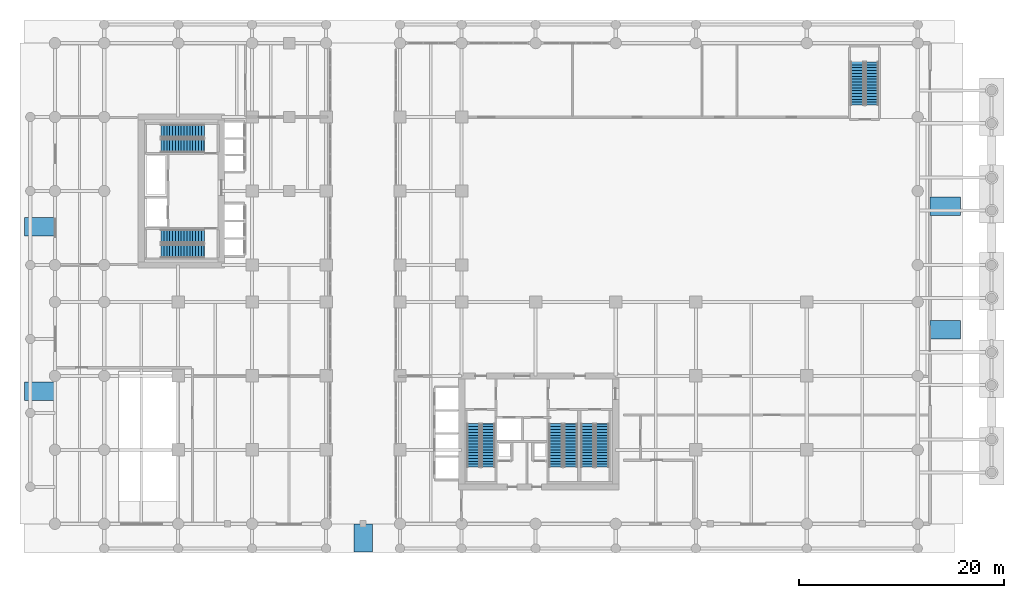
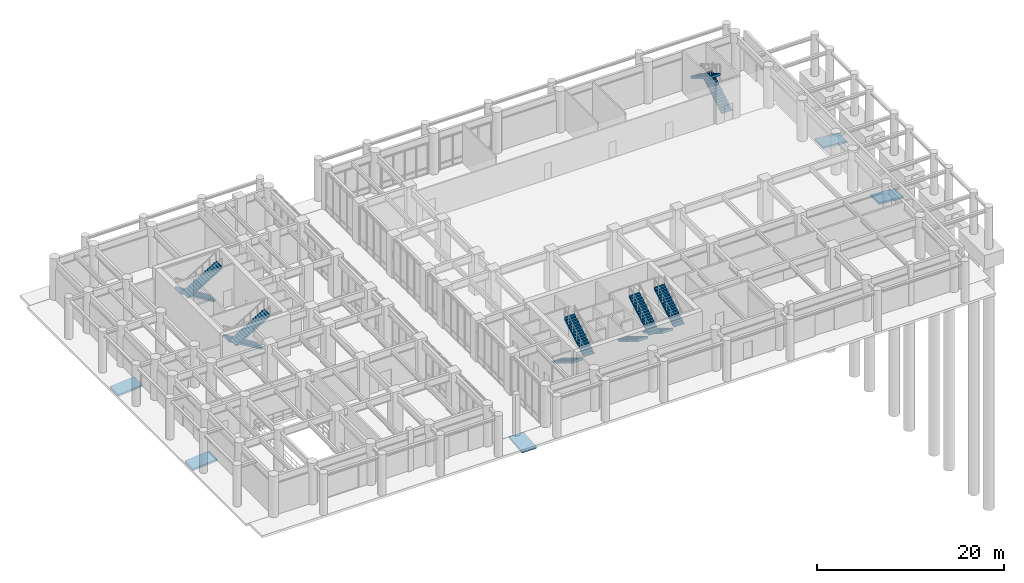
# One storey, part 18 of 23: 12 stair flights, 5 ramp flights, 11 elements without a shape of their own.
"""IFC4 building model written with IfcOpenShell, lengths in metres."""

from ifc_helpers import new_model, si_unit, derived_unit, direction, frame, origin, place, context, subcontext, project, spatial, polyline, outline, extrude, source, transform, mapped, material, layer, layer_set, type_object, element, aggregate, save


model = new_model("IFC4")

# Units and contexts
model_context = context("Model", 3, precision=1e-05, world=origin(), true_north=direction((0.0, 1.0)))
body_context = subcontext(model_context, "Body", "Model", "MODEL_VIEW")
ifc_project = project(units=[si_unit("LENGTHUNIT", "METRE"), si_unit("AREAUNIT", "SQUARE_METRE"), si_unit("VOLUMEUNIT", "CUBIC_METRE"), si_unit("PLANEANGLEUNIT", "RADIAN"), si_unit("MASSUNIT", "GRAM", prefix="KILO"), si_unit("THERMODYNAMICTEMPERATUREUNIT", "KELVIN"), si_unit("POWERUNIT", "WATT"), derived_unit("THERMALTRANSMITTANCEUNIT", [(si_unit("POWERUNIT", "WATT"), 1), (si_unit("AREAUNIT", "SQUARE_METRE"), -1), (si_unit("THERMODYNAMICTEMPERATUREUNIT", "KELVIN"), -1)])], contexts=[model_context])

# Site, building, storey
site_placement = place(None, origin())
site = spatial("IfcSite", under=ifc_project, at=site_placement, CompositionType="ELEMENT")
building_placement = place(site_placement, origin())
building = spatial("IfcBuilding", under=site, at=building_placement, Name="Zahravan Archway Hotel and Residences", CompositionType="ELEMENT")
storey_placement = place(building_placement, origin())
storey = spatial("IfcBuildingStorey", under=building, at=storey_placement, Name="L00", CompositionType="ELEMENT", Elevation=0.0)

# Stair, stair flights
ifc_material_1 = material(Name="Concrete C50/60", Category="concrete")
stair_type = type_object("IfcStairType", Name="STR-CORE-1300", PredefinedType="HALF_TURN_STAIR", material=ifc_material_1)
stair_1_placement = place(storey_placement, origin())
stair_1 = element("IfcStair", 1, at=stair_1_placement, inside=storey, type_object=stair_type, Name="L00 Core A Exit Stair 1", PredefinedType="HALF_TURN_STAIR")
ifc_layer_1 = layer(ifc_material_1, 0.199951171875, Name="Concrete C50/60", Category="concrete")
ifc_layer_set_1 = layer_set([ifc_layer_1], Name="Concrete C50/60")
stair_flight_type = type_object("IfcStairFlightType", Name="SFL-CORE-1300", PredefinedType="STRAIGHT", material=ifc_layer_set_1)
shared_shape = source(origin(), body_context, "Body", "SweptSolid", [
    extrude(outline(polyline([(-0.01611328125, 0.0), (-0.01611328125, 0.168701171875), (0.280029296875, 0.168701171875), (0.280029296875, 0.33740234375), (0.56005859375, 0.33740234375), (0.56005859375, 0.50634765625), (0.840087890625, 0.50634765625), (0.840087890625, 0.675048828125), (1.1201171875, 0.675048828125), (1.1201171875, 0.84375), (1.39990234375, 0.84375), (1.39990234375, 1.012451171875), (1.679931640625, 1.012451171875), (1.679931640625, 1.18115234375), (1.9599609375, 1.18115234375), (1.9599609375, 1.35009765625), (2.239990234375, 1.35009765625), (2.239990234375, 1.518798828125), (2.52001953125, 1.518798828125), (2.52001953125, 1.6875), (2.800048828125, 1.6875), (2.800048828125, 1.856201171875), (3.080078125, 1.856201171875), (3.080078125, 2.02490234375), (3.360107421875, 2.02490234375), (3.360107421875, 2.19384765625), (3.639892578125, 2.19384765625), (3.639892578125, 2.362548828125), (3.919921875, 2.362548828125), (3.919921875, 2.53125), (4.199951171875, 2.53125), (4.199951171875, 2.699951171875), (4.216064453125, 2.699951171875), (4.216064453125, 2.356201171875), (0.29052734375, 0.0), (-0.01611328125, 0.0)])), frame((0.0, 0.64990234375, 0.0), z_axis=(0.0, -1.0, 0.0), x_axis=(1.0, 0.0, 0.0)), (0.0, 0.0, 1.0), 1.300048828125),
])
stair_flight_1_placement = place(storey_placement, frame((35.949951171875, 9.72998046875, 0.0), z_axis=(0.0, 0.0, 1.0), x_axis=(0.0, -1.0, 0.0)))
stair_flight_1 = element("IfcStairFlight", 2, at=stair_flight_1_placement, type_object=stair_flight_type, Name="ST-A1 flight 1", NumberOfRisers=16, NumberOfTreads=15, PredefinedType="STRAIGHT", RiserHeight=0.16875, TreadLength=0.28, context=body_context, shape_type="MappedRepresentation", body=[
    mapped(shared_shape, transform((0.0, 0.0, 0.0), scale=1.0)),
])
stair_flight_2_placement = place(storey_placement, frame((37.389892578125, 5.530029296875, 2.699951171875), z_axis=(0.0, 0.0, 1.0), x_axis=(0.0, 1.0, 0.0)))
stair_flight_2 = element("IfcStairFlight", 3, at=stair_flight_2_placement, type_object=stair_flight_type, Name="ST-A1 flight 2", NumberOfRisers=16, NumberOfTreads=15, PredefinedType="STRAIGHT", RiserHeight=0.16875, TreadLength=0.28, context=body_context, shape_type="MappedRepresentation", body=[
    mapped(shared_shape, transform((0.0, 0.0, 0.0), scale=1.0)),
])
aggregate(stair_1, [stair_flight_1, stair_flight_2])

stair_2_placement = place(storey_placement, origin())
stair_2 = element("IfcStair", 4, at=stair_2_placement, inside=storey, type_object=stair_type, Name="L00 Core A Exit Stair 2", PredefinedType="HALF_TURN_STAIR")
stair_flight_3_placement = place(storey_placement, frame((43.969970703125, 9.72998046875, 0.0), z_axis=(0.0, 0.0, 1.0), x_axis=(0.0, -1.0, 0.0)))
stair_flight_3 = element("IfcStairFlight", 5, at=stair_flight_3_placement, type_object=stair_flight_type, Name="ST-A2 flight 1", NumberOfRisers=16, NumberOfTreads=15, PredefinedType="STRAIGHT", RiserHeight=0.16875, TreadLength=0.28, context=body_context, shape_type="MappedRepresentation", body=[
    mapped(shared_shape, transform((0.0, 0.0, 0.0), scale=1.0)),
])
stair_flight_4_placement = place(storey_placement, frame((45.409912109375, 5.530029296875, 2.699951171875), z_axis=(0.0, 0.0, 1.0), x_axis=(0.0, 1.0, 0.0)))
stair_flight_4 = element("IfcStairFlight", 6, at=stair_flight_4_placement, type_object=stair_flight_type, Name="ST-A2 flight 2", NumberOfRisers=16, NumberOfTreads=15, PredefinedType="STRAIGHT", RiserHeight=0.16875, TreadLength=0.28, context=body_context, shape_type="MappedRepresentation", body=[
    mapped(shared_shape, transform((0.0, 0.0, 0.0), scale=1.0)),
])
aggregate(stair_2, [stair_flight_3, stair_flight_4])

stair_3_placement = place(storey_placement, origin())
stair_3 = element("IfcStair", 7, at=stair_3_placement, inside=storey, type_object=stair_type, Name="L00 Core A Exit Stair 3", PredefinedType="HALF_TURN_STAIR")
stair_flight_5_placement = place(storey_placement, frame((47.050048828125, 9.72998046875, 0.0), z_axis=(0.0, 0.0, 1.0), x_axis=(0.0, -1.0, 0.0)))
stair_flight_5 = element("IfcStairFlight", 8, at=stair_flight_5_placement, type_object=stair_flight_type, Name="ST-A3 flight 1", NumberOfRisers=16, NumberOfTreads=15, PredefinedType="STRAIGHT", RiserHeight=0.16875, TreadLength=0.28, context=body_context, shape_type="MappedRepresentation", body=[
    mapped(shared_shape, transform((0.0, 0.0, 0.0), scale=1.0)),
])
stair_flight_6_placement = place(storey_placement, frame((48.489990234375, 5.530029296875, 2.699951171875), z_axis=(0.0, 0.0, 1.0), x_axis=(0.0, 1.0, 0.0)))
stair_flight_6 = element("IfcStairFlight", 9, at=stair_flight_6_placement, type_object=stair_flight_type, Name="ST-A3 flight 2", NumberOfRisers=16, NumberOfTreads=15, PredefinedType="STRAIGHT", RiserHeight=0.16875, TreadLength=0.28, context=body_context, shape_type="MappedRepresentation", body=[
    mapped(shared_shape, transform((0.0, 0.0, 0.0), scale=1.0)),
])
aggregate(stair_3, [stair_flight_5, stair_flight_6])

stair_4_placement = place(storey_placement, origin())
stair_4 = element("IfcStair", 10, at=stair_4_placement, inside=storey, type_object=stair_type, Name="L00 Core B Exit Stair 1", PredefinedType="HALF_TURN_STAIR")
stair_flight_7_placement = place(storey_placement, frame((9.72998046875, 27.989990234375, 0.0), z_axis=(0.0, 0.0, 1.0), x_axis=(-1.0, 0.0, 0.0)))
stair_flight_7 = element("IfcStairFlight", 11, at=stair_flight_7_placement, type_object=stair_flight_type, Name="ST-B1 flight 1", NumberOfRisers=16, NumberOfTreads=15, PredefinedType="STRAIGHT", RiserHeight=0.16875, TreadLength=0.28, context=body_context, shape_type="MappedRepresentation", body=[
    mapped(shared_shape, transform((0.0, 0.0, 0.0), scale=1.0)),
])
stair_flight_8_placement = place(storey_placement, frame((5.530029296875, 26.550048828125, 2.699951171875), z_axis=(0.0, 0.0, 1.0), x_axis=(1.0, 0.0, 0.0)))
stair_flight_8 = element("IfcStairFlight", 12, at=stair_flight_8_placement, type_object=stair_flight_type, Name="ST-B1 flight 2", NumberOfRisers=16, NumberOfTreads=15, PredefinedType="STRAIGHT", RiserHeight=0.16875, TreadLength=0.28, context=body_context, shape_type="MappedRepresentation", body=[
    mapped(shared_shape, transform((0.0, 0.0, 0.0), scale=1.0)),
])
aggregate(stair_4, [stair_flight_7, stair_flight_8])

stair_5_placement = place(storey_placement, origin())
stair_5 = element("IfcStair", 13, at=stair_5_placement, inside=storey, type_object=stair_type, Name="L00 Core B Exit Stair 2", PredefinedType="HALF_TURN_STAIR")
stair_flight_9_placement = place(storey_placement, frame((9.72998046875, 38.25, 0.0), z_axis=(0.0, 0.0, 1.0), x_axis=(-1.0, 0.0, 0.0)))
stair_flight_9 = element("IfcStairFlight", 14, at=stair_flight_9_placement, type_object=stair_flight_type, Name="ST-B2 flight 1", NumberOfRisers=16, NumberOfTreads=15, PredefinedType="STRAIGHT", RiserHeight=0.16875, TreadLength=0.28, context=body_context, shape_type="MappedRepresentation", body=[
    mapped(shared_shape, transform((0.0, 0.0, 0.0), scale=1.0)),
])
stair_flight_10_placement = place(storey_placement, frame((5.530029296875, 36.81005859375, 2.699951171875), z_axis=(0.0, 0.0, 1.0), x_axis=(1.0, 0.0, 0.0)))
stair_flight_10 = element("IfcStairFlight", 15, at=stair_flight_10_placement, type_object=stair_flight_type, Name="ST-B2 flight 2", NumberOfRisers=16, NumberOfTreads=15, PredefinedType="STRAIGHT", RiserHeight=0.16875, TreadLength=0.28, context=body_context, shape_type="MappedRepresentation", body=[
    mapped(shared_shape, transform((0.0, 0.0, 0.0), scale=1.0)),
])
aggregate(stair_5, [stair_flight_9, stair_flight_10])

stair_6_placement = place(storey_placement, origin())
stair_6 = element("IfcStair", 16, at=stair_6_placement, inside=storey, type_object=stair_type, Name="L00 East Station Galleria Exit Stair", PredefinedType="HALF_TURN_STAIR")
stair_flight_11_placement = place(storey_placement, frame((74.75, 40.77001953125, 0.0), z_axis=(0.0, 0.0, 1.0), x_axis=(0.0, 1.0, 0.0)))
stair_flight_11 = element("IfcStairFlight", 17, at=stair_flight_11_placement, type_object=stair_flight_type, Name="ST-P1 flight 1", NumberOfRisers=16, NumberOfTreads=15, PredefinedType="STRAIGHT", RiserHeight=0.16875, TreadLength=0.28, context=body_context, shape_type="MappedRepresentation", body=[
    mapped(shared_shape, transform((0.0, 0.0, 0.0), scale=1.0)),
])
stair_flight_12_placement = place(storey_placement, frame((73.31005859375, 44.969970703125, 2.699951171875), z_axis=(0.0, 0.0, 1.0), x_axis=(0.0, -1.0, 0.0)))
stair_flight_12 = element("IfcStairFlight", 18, at=stair_flight_12_placement, type_object=stair_flight_type, Name="ST-P1 flight 2", NumberOfRisers=16, NumberOfTreads=15, PredefinedType="STRAIGHT", RiserHeight=0.16875, TreadLength=0.28, context=body_context, shape_type="MappedRepresentation", body=[
    mapped(shared_shape, transform((0.0, 0.0, 0.0), scale=1.0)),
])
aggregate(stair_6, [stair_flight_11, stair_flight_12])

# Ramp, ramp flight
ifc_material_2 = material(Name="Concrete C45/55", Category="concrete")
ramp_type = type_object("IfcRampType", Name="RMP-ACC-12", PredefinedType="STRAIGHT_RUN_RAMP", material=ifc_material_2)
ramp_1_placement = place(storey_placement, origin())
ramp_1 = element("IfcRamp", 19, at=ramp_1_placement, inside=storey, type_object=ramp_type, Name="L00 South Station Concourse Accessible Ramp", PredefinedType="STRAIGHT_RUN_RAMP")
ifc_layer_2 = layer(ifc_material_2, 0.25, Name="Concrete C45/55", Category="concrete")
ifc_layer_set_2 = layer_set([ifc_layer_2], Name="Concrete C45/55")
ramp_flight_type = type_object("IfcRampFlightType", Name="RFL-ACC-250", PredefinedType="STRAIGHT", material=ifc_layer_set_2)
ramp_flight_1_placement = place(storey_placement, frame((24.300048828125, -2.760009765625, -0.22998046875), z_axis=(1.0, 0.0, 0.0), x_axis=(0.0, 1.0, 0.0)))
ramp_flight_1 = element("IfcRampFlight", 20, at=ramp_flight_1_placement, type_object=ramp_flight_type, Name="L00 South Station Concourse Accessible Ramp Flight", PredefinedType="STRAIGHT", context=body_context, shape_type="SweptSolid", body=[
    extrude(outline(polyline([(0.0, 0.0), (2.760009765625, 0.22998046875), (2.760009765625, -0.02001953125), (0.0, -0.25), (0.0, 0.0)])), origin(), (0.0, 0.0, 1.0), 1.800048828125),
])
aggregate(ramp_1, [ramp_flight_1])

ramp_2_placement = place(storey_placement, origin())
ramp_2 = element("IfcRamp", 21, at=ramp_2_placement, inside=storey, type_object=ramp_type, Name="L00 West Colonnade Accessible Ramp 1", PredefinedType="STRAIGHT_RUN_RAMP")
ramp_flight_2_placement = place(storey_placement, frame((-7.780029296875, 13.800048828125, -0.25), z_axis=(0.0, -1.0, 0.0), x_axis=(1.0, 0.0, 0.0)))
ramp_flight_2 = element("IfcRampFlight", 22, at=ramp_flight_2_placement, type_object=ramp_flight_type, Name="L00 West Colonnade Accessible Ramp 1 Flight", PredefinedType="STRAIGHT", context=body_context, shape_type="SweptSolid", body=[
    extrude(outline(polyline([(0.0, 0.0), (3.0, 0.25), (3.0, 0.0), (0.0, -0.25), (0.0, 0.0)])), origin(), (0.0, 0.0, 1.0), 1.800048828125),
])
aggregate(ramp_2, [ramp_flight_2])

ramp_3_placement = place(storey_placement, origin())
ramp_3 = element("IfcRamp", 23, at=ramp_3_placement, inside=storey, type_object=ramp_type, Name="L00 West Colonnade Accessible Ramp 2", PredefinedType="STRAIGHT_RUN_RAMP")
ramp_flight_3_placement = place(storey_placement, frame((-7.780029296875, 29.800048828125, -0.25), z_axis=(0.0, -1.0, 0.0), x_axis=(1.0, 0.0, 0.0)))
ramp_flight_3 = element("IfcRampFlight", 24, at=ramp_flight_3_placement, type_object=ramp_flight_type, Name="L00 West Colonnade Accessible Ramp 2 Flight", PredefinedType="STRAIGHT", context=body_context, shape_type="SweptSolid", body=[
    extrude(outline(polyline([(0.0, 0.0), (3.0, 0.25), (3.0, 0.0), (0.0, -0.25), (0.0, 0.0)])), origin(), (0.0, 0.0, 1.0), 1.800048828125),
])
aggregate(ramp_3, [ramp_flight_3])

ramp_4_placement = place(storey_placement, origin())
ramp_4 = element("IfcRamp", 25, at=ramp_4_placement, inside=storey, type_object=ramp_type, Name="L00 East Porte-Cochere Accessible Ramp 1", PredefinedType="STRAIGHT_RUN_RAMP")
ramp_flight_4_placement = place(storey_placement, frame((83.3798828125, 18.0, -0.25), z_axis=(0.0, 1.0, 0.0), x_axis=(-1.0, 0.0, 0.0)))
ramp_flight_4 = element("IfcRampFlight", 26, at=ramp_flight_4_placement, type_object=ramp_flight_type, Name="L00 East Porte-Cochere Accessible Ramp 1 Flight", PredefinedType="STRAIGHT", context=body_context, shape_type="SweptSolid", body=[
    extrude(outline(polyline([(0.0, 0.0), (3.0, 0.25), (3.0, 0.0), (0.0, -0.25), (0.0, 0.0)])), origin(), (0.0, 0.0, 1.0), 1.800048828125),
])
aggregate(ramp_4, [ramp_flight_4])

ramp_5_placement = place(storey_placement, origin())
ramp_5 = element("IfcRamp", 27, at=ramp_5_placement, inside=storey, type_object=ramp_type, Name="L00 East Porte-Cochere Accessible Ramp 2", PredefinedType="STRAIGHT_RUN_RAMP")
ramp_flight_5_placement = place(storey_placement, frame((83.3798828125, 30.0, -0.25), z_axis=(0.0, 1.0, 0.0), x_axis=(-1.0, 0.0, 0.0)))
ramp_flight_5 = element("IfcRampFlight", 28, at=ramp_flight_5_placement, type_object=ramp_flight_type, Name="L00 East Porte-Cochere Accessible Ramp 2 Flight", PredefinedType="STRAIGHT", context=body_context, shape_type="SweptSolid", body=[
    extrude(outline(polyline([(0.0, 0.0), (3.0, 0.25), (3.0, 0.0), (0.0, -0.25), (0.0, 0.0)])), origin(), (0.0, 0.0, 1.0), 1.800048828125),
])
aggregate(ramp_5, [ramp_flight_5])

save(model, "model.ifc")
